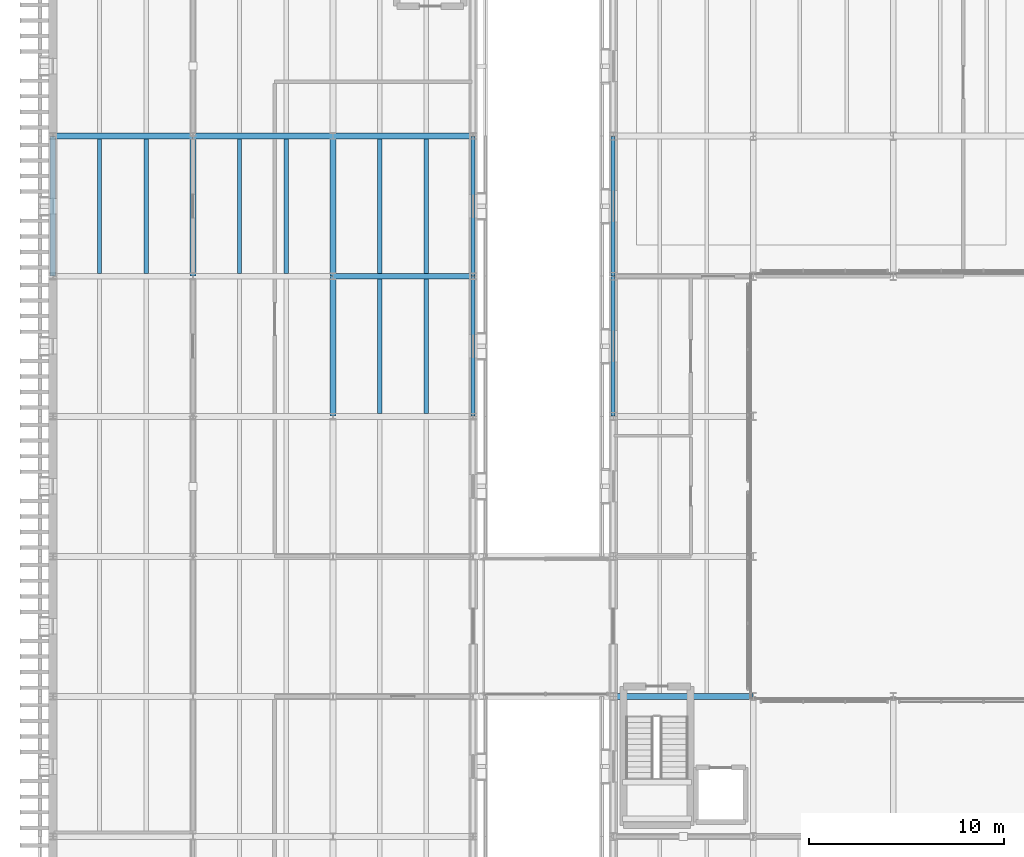
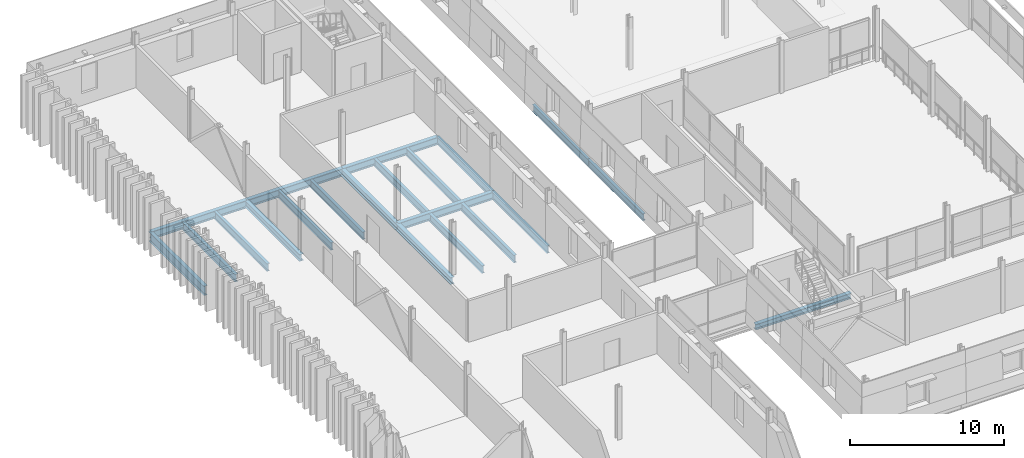
# One storey, part 22 of 115: 21 beams.
"""IFC4 building model written with IfcOpenShell, lengths in metres."""

from ifc_helpers import new_model, si_unit, direction, frame, origin, origin_2d, place, context, subcontext, project, spatial, i_section, extrude, material, material_profile, profile_set, type_object, element, save


model = new_model("IFC4")

# Units and contexts
model_context = context("Model", 3, precision=1e-05, world=origin(), true_north=direction((0.0, 1.0)))
body_context = subcontext(model_context, "Body", "Model", "MODEL_VIEW")
ifc_project = project(units=[si_unit("LENGTHUNIT", "METRE"), si_unit("AREAUNIT", "SQUARE_METRE"), si_unit("VOLUMEUNIT", "CUBIC_METRE"), si_unit("PLANEANGLEUNIT", "RADIAN"), si_unit("MASSUNIT", "GRAM", prefix="KILO")], contexts=[model_context])

# Site, building, storey
site_placement = place(None, origin())
site = spatial("IfcSite", under=ifc_project, at=site_placement, CompositionType="ELEMENT")
building_placement = place(site_placement, origin())
building = spatial("IfcBuilding", under=site, at=building_placement, Name="Narikvali Park Central Library", CompositionType="ELEMENT")
storey_placement = place(building_placement, frame((0.0, 0.0, 10.199951171875)))
storey = spatial("IfcBuildingStorey", under=building, at=storey_placement, Name="L02", CompositionType="ELEMENT", Elevation=10.199951171875)

# Beams
ifc_material = material(Name="Steel S355", Category="steel")
ifc_material_profile_1 = material_profile(ifc_material, i_section(OverallWidth=0.219970703125, OverallDepth=0.60009765625, WebThickness=0.011962890625, FlangeThickness=0.01904296875, FilletRadius=0.02392578125, at=origin_2d()), Name="IPE 600")
ifc_profile_set_1 = profile_set([ifc_material_profile_1], Name="Steel S355")
beam_type_1 = type_object("IfcBeamType", Name="Compact Archive Joist IPE600", PredefinedType="JOIST", material=ifc_profile_set_1)
for number, where, z_axis, x_axis, name in (
    (1, (2.39990234375, 86.550048828125, -0.599853515625), (0.0, 1.0, 0.0), (-1.0, 0.0, 0.0), "V5 L02 Composite Joist 1"),
    (2, (4.800048828125, 86.550048828125, -0.599853515625), (0.0, 1.0, 0.0), (-1.0, 0.0, 0.0), "V5 L02 Composite Joist 2"),
    (3, (9.60009765625, 86.550048828125, -0.599853515625), (0.0, 1.0, 0.0), (-1.0, 0.0, 0.0), "V5 L02 Composite Joist 1"),
    (4, (12.0, 86.550048828125, -0.599853515625), (0.0, 1.0, 0.0), (-1.0, 0.0, 0.0), "V5 L02 Composite Joist 2"),
    (5, (16.800048828125, 79.35009765625, -0.599853515625), (0.0, 1.0, 0.0), (-1.0, 0.0, 0.0), "V5 L02 Composite Joist 1"),
    (6, (19.199951171875, 79.35009765625, -0.599853515625), (0.0, 1.0, 0.0), (-1.0, 0.0, 0.0), "V5 L02 Composite Joist 2"),
    (7, (16.800048828125, 86.550048828125, -0.599853515625), (0.0, 1.0, 0.0), (-1.0, 0.0, 0.0), "V5 L02 Composite Joist 1"),
    (8, (19.199951171875, 86.550048828125, -0.599853515625), (0.0, 1.0, 0.0), (-1.0, 0.0, 0.0), "V5 L02 Composite Joist 2"),
):
    element("IfcBeam", number, at=place(storey_placement, frame(where, z_axis=z_axis, x_axis=x_axis)), inside=storey, type_object=beam_type_1, Name=name, PredefinedType="JOIST", context=body_context, shape_type="SweptSolid", body=[
        extrude(i_section(OverallWidth=0.219970703125, OverallDepth=0.60009765625, WebThickness=0.011962890625, FlangeThickness=0.01904296875, FilletRadius=0.02392578125, at=origin_2d()), origin(), (0.0, 0.0, 1.0), 6.89990234375),
    ])
ifc_material_profile_2 = material_profile(ifc_material, i_section(OverallWidth=0.264892578125, OverallDepth=0.7529296875, WebThickness=0.01318359375, FlangeThickness=0.01708984375, FilletRadius=0.01708984375, at=origin_2d()), Name="IPE 750x147")
ifc_profile_set_2 = profile_set([ifc_material_profile_2], Name="Steel S355")
beam_type_2 = type_object("IfcBeamType", Name="Fin Facade Spandrel IPE750", PredefinedType="SPANDREL", material=ifc_profile_set_2)
beam_1_placement = place(storey_placement, frame((0.0, 86.407958984375, -0.676513671875), z_axis=(0.0, 1.0, 0.0), x_axis=(-1.0, 0.0, 0.0)))
element("IfcBeam", 9, at=beam_1_placement, inside=storey, type_object=beam_type_2, Name="V5 L02 Girder Y", PredefinedType="SPANDREL", context=body_context, shape_type="SweptSolid", body=[
    extrude(i_section(OverallWidth=0.264892578125, OverallDepth=0.7529296875, WebThickness=0.01318359375, FlangeThickness=0.01708984375, FilletRadius=0.01708984375, at=origin_2d()), origin(), (0.0, 0.0, 1.0), 7.18408203125),
])
ifc_material_profile_3 = material_profile(ifc_material, i_section(OverallWidth=0.2099609375, OverallDepth=0.550048828125, WebThickness=0.010986328125, FlangeThickness=0.01708984375, FilletRadius=0.02392578125, at=origin_2d()), Name="IPE 550")
ifc_profile_set_3 = profile_set([ifc_material_profile_3], Name="Steel S355")
beam_type_3 = type_object("IfcBeamType", Name="Perimeter Spandrel IPE550", PredefinedType="SPANDREL", material=ifc_profile_set_3)
for number, where, z_axis, x_axis, name in (
    (10, (28.800048828125, 79.2080078125, -0.554931640625), (0.0, 1.0, 0.0), (-1.0, 0.0, 0.0), "V4 L02 Girder Y"),
    (11, (28.800048828125, 86.407958984375, -0.554931640625), (0.0, 1.0, 0.0), (-1.0, 0.0, 0.0), "V4 L02 Girder Y"),
):
    element("IfcBeam", number, at=place(storey_placement, frame(where, z_axis=z_axis, x_axis=x_axis)), inside=storey, type_object=beam_type_3, Name=name, PredefinedType="SPANDREL", context=body_context, shape_type="SweptSolid", body=[
        extrude(i_section(OverallWidth=0.2099609375, OverallDepth=0.550048828125, WebThickness=0.010986328125, FlangeThickness=0.01708984375, FilletRadius=0.02392578125, at=origin_2d()), origin(), (0.0, 0.0, 1.0), 7.18408203125),
    ])
ifc_material_profile_4 = material_profile(ifc_material, i_section(OverallWidth=0.219970703125, OverallDepth=0.60009765625, WebThickness=0.011962890625, FlangeThickness=0.01904296875, FilletRadius=0.02392578125, at=origin_2d()), Name="IPE 600")
ifc_profile_set_4 = profile_set([ifc_material_profile_4], Name="Steel S355")
beam_type_4 = type_object("IfcBeamType", Name="Perimeter Spandrel IPE600", PredefinedType="SPANDREL", material=ifc_profile_set_4)
for number, where, z_axis, x_axis, name in (
    (12, (21.60009765625, 79.2080078125, -0.599853515625), (0.0, 1.0, 0.0), (-1.0, 0.0, 0.0), "V5 L02 Girder Y"),
    (13, (21.60009765625, 86.407958984375, -0.599853515625), (0.0, 1.0, 0.0), (-1.0, 0.0, 0.0), "V5 L02 Girder Y"),
):
    element("IfcBeam", number, at=place(storey_placement, frame(where, z_axis=z_axis, x_axis=x_axis)), inside=storey, type_object=beam_type_4, Name=name, PredefinedType="SPANDREL", context=body_context, shape_type="SweptSolid", body=[
        extrude(i_section(OverallWidth=0.219970703125, OverallDepth=0.60009765625, WebThickness=0.011962890625, FlangeThickness=0.01904296875, FilletRadius=0.02392578125, at=origin_2d()), origin(), (0.0, 0.0, 1.0), 7.18408203125),
    ])
ifc_material_profile_5 = material_profile(ifc_material, i_section(OverallWidth=0.300048828125, OverallDepth=0.43994140625, WebThickness=0.011474609375, FlangeThickness=0.02099609375, FilletRadius=0.027099609375, at=origin_2d()), Name="HEA 450")
ifc_profile_set_5 = profile_set([ifc_material_profile_5], Name="Steel S355")
beam_type_5 = type_object("IfcBeamType", Name="Primary Girder HEA450", PredefinedType="BEAM", material=ifc_profile_set_5)
beam_2_placement = place(storey_placement, frame((28.80810546875, 64.800048828125, -0.5), z_axis=(1.0, 0.0, 0.0), x_axis=(0.0, 1.0, 0.0)))
element("IfcBeam", 14, at=beam_2_placement, inside=storey, type_object=beam_type_5, Name="V4 L02 Girder X", PredefinedType="BEAM", context=body_context, shape_type="SweptSolid", body=[
    extrude(i_section(OverallWidth=0.300048828125, OverallDepth=0.43994140625, WebThickness=0.011474609375, FlangeThickness=0.02099609375, FilletRadius=0.027099609375, at=origin_2d()), origin(), (0.0, 0.0, 1.0), 7.183837890625),
])
ifc_material_profile_6 = material_profile(ifc_material, i_section(OverallWidth=0.300048828125, OverallDepth=0.5400390625, WebThickness=0.012451171875, FlangeThickness=0.02392578125, FilletRadius=0.027099609375, at=origin_2d()), Name="HEA 550")
ifc_profile_set_6 = profile_set([ifc_material_profile_6], Name="Steel S355")
beam_type_6 = type_object("IfcBeamType", Name="Primary Girder HEA550", PredefinedType="BEAM", material=ifc_profile_set_6)
for number, where, z_axis, x_axis, name in (
    (15, (7.199951171875, 86.407958984375, -0.570068359375), (0.0, 1.0, 0.0), (-1.0, 0.0, 0.0), "V5 L02 Girder Y"),
    (16, (14.39990234375, 79.2080078125, -0.570068359375), (0.0, 1.0, 0.0), (-1.0, 0.0, 0.0), "V5 L02 Girder Y"),
    (17, (14.39990234375, 86.407958984375, -0.570068359375), (0.0, 1.0, 0.0), (-1.0, 0.0, 0.0), "V5 L02 Girder Y"),
):
    element("IfcBeam", number, at=place(storey_placement, frame(where, z_axis=z_axis, x_axis=x_axis)), inside=storey, type_object=beam_type_6, Name=name, PredefinedType="BEAM", context=body_context, shape_type="SweptSolid", body=[
        extrude(i_section(OverallWidth=0.300048828125, OverallDepth=0.5400390625, WebThickness=0.012451171875, FlangeThickness=0.02392578125, FilletRadius=0.027099609375, at=origin_2d()), origin(), (0.0, 0.0, 1.0), 7.18408203125),
    ])
ifc_material_profile_7 = material_profile(ifc_material, i_section(OverallWidth=0.300048828125, OverallDepth=0.60009765625, WebThickness=0.015380859375, FlangeThickness=0.030029296875, FilletRadius=0.027099609375, at=origin_2d()), Name="HEB 600")
ifc_profile_set_7 = profile_set([ifc_material_profile_7], Name="Steel S355")
beam_type_7 = type_object("IfcBeamType", Name="Primary Stack Girder HEB600", PredefinedType="BEAM", material=ifc_profile_set_7)
beam_3_placement = place(storey_placement, frame((14.407958984375, 86.39990234375, -0.599853515625), z_axis=(1.0, 0.0, 0.0), x_axis=(0.0, 1.0, 0.0)))
element("IfcBeam", 18, at=beam_3_placement, inside=storey, type_object=beam_type_7, Name="V5 L02 Girder X", PredefinedType="BEAM", context=body_context, shape_type="SweptSolid", body=[
    extrude(i_section(OverallWidth=0.300048828125, OverallDepth=0.60009765625, WebThickness=0.015380859375, FlangeThickness=0.030029296875, FilletRadius=0.027099609375, at=origin_2d()), origin(), (0.0, 0.0, 1.0), 7.18408203125),
])
beam_4_placement = place(storey_placement, frame((0.008056640625, 93.60009765625, -0.599853515625), z_axis=(1.0, 0.0, 0.0), x_axis=(0.0, 1.0, 0.0)))
element("IfcBeam", 19, at=beam_4_placement, inside=storey, type_object=beam_type_7, Name="V5 L02 Girder X", PredefinedType="BEAM", context=body_context, shape_type="SweptSolid", body=[
    extrude(i_section(OverallWidth=0.300048828125, OverallDepth=0.60009765625, WebThickness=0.015380859375, FlangeThickness=0.030029296875, FilletRadius=0.027099609375, at=origin_2d()), origin(), (0.0, 0.0, 1.0), 7.183837890625),
])
for number, where, z_axis, x_axis, name in (
    (20, (7.2080078125, 93.60009765625, -0.599853515625), (1.0, 0.0, 0.0), (0.0, 1.0, 0.0), "V5 L02 Girder X"),
    (21, (14.407958984375, 93.60009765625, -0.599853515625), (1.0, 0.0, 0.0), (0.0, 1.0, 0.0), "V5 L02 Girder X"),
):
    element("IfcBeam", number, at=place(storey_placement, frame(where, z_axis=z_axis, x_axis=x_axis)), inside=storey, type_object=beam_type_7, Name=name, PredefinedType="BEAM", context=body_context, shape_type="SweptSolid", body=[
        extrude(i_section(OverallWidth=0.300048828125, OverallDepth=0.60009765625, WebThickness=0.015380859375, FlangeThickness=0.030029296875, FilletRadius=0.027099609375, at=origin_2d()), origin(), (0.0, 0.0, 1.0), 7.18408203125),
    ])

save(model, "model.ifc")
